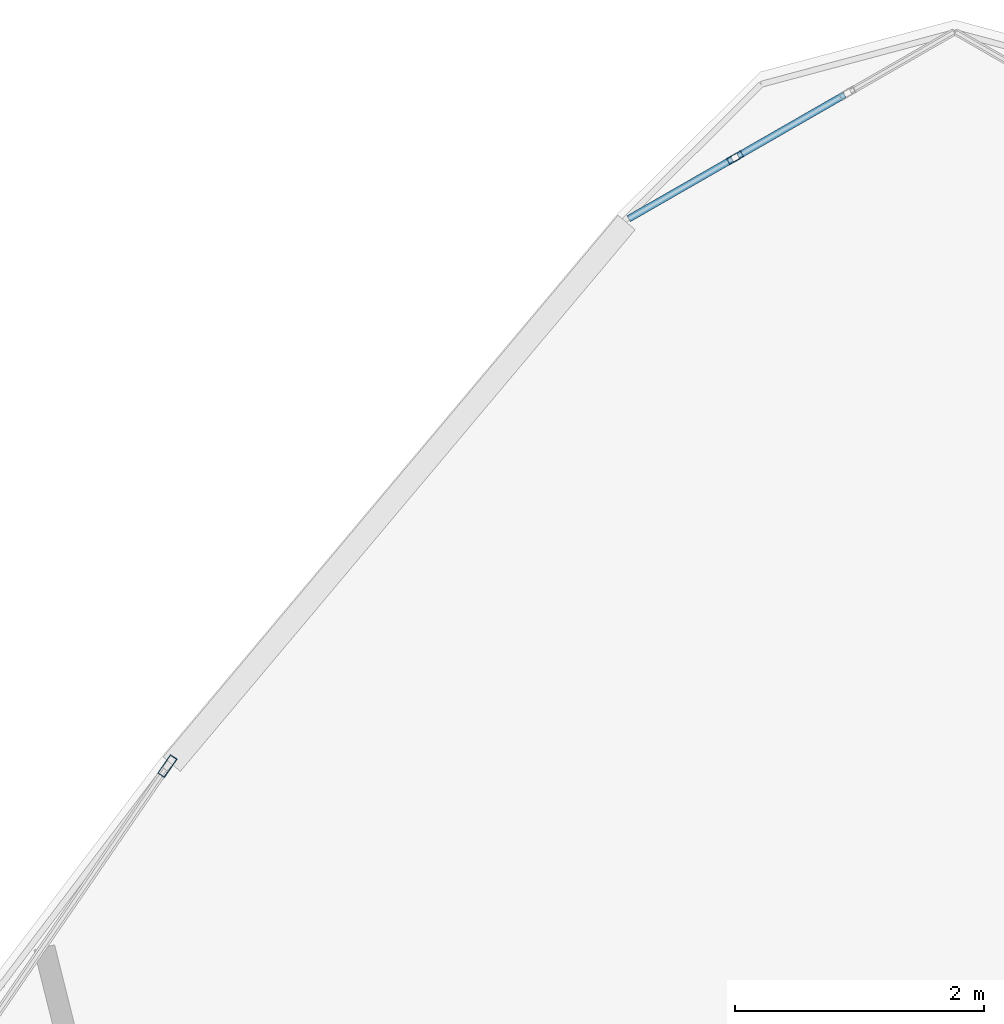
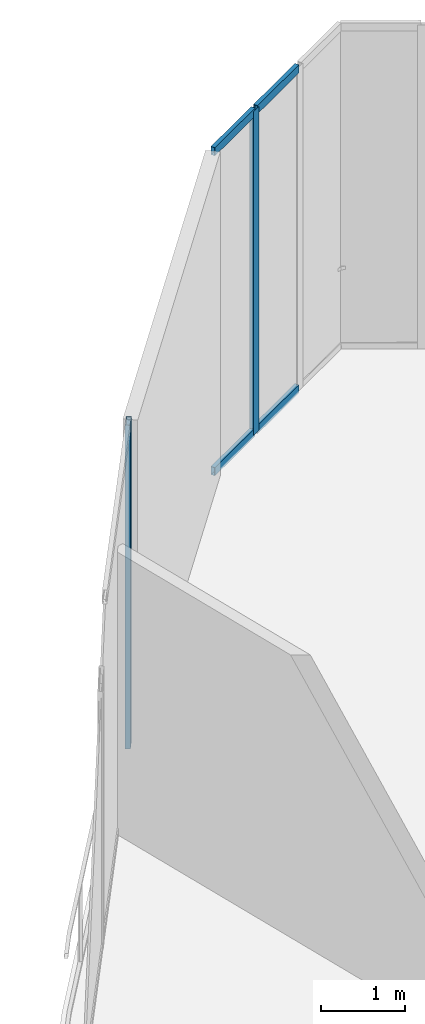
# One storey, part 25 of 32: 6 members, 2 elements without a shape of their own.
"""IFC4 building model written with IfcOpenShell, lengths in metres."""

from ifc_helpers import new_model, si_unit, direction, frame, origin, origin_2d, place, context, subcontext, project, spatial, hollow_rectangle, extrude, source, transform, mapped, material, layer, layer_set, material_profile, profile_set, type_object, element, aggregate, save


model = new_model("IFC4")

# Units and contexts
model_context = context("Model", 3, precision=1e-05, world=origin(), true_north=direction((0.0, 1.0)))
body_context = subcontext(model_context, "Body", "Model", "MODEL_VIEW")
ifc_project = project(units=[si_unit("LENGTHUNIT", "METRE"), si_unit("AREAUNIT", "SQUARE_METRE"), si_unit("VOLUMEUNIT", "CUBIC_METRE"), si_unit("PLANEANGLEUNIT", "RADIAN"), si_unit("MASSUNIT", "GRAM", prefix="KILO"), si_unit("THERMODYNAMICTEMPERATUREUNIT", "KELVIN"), si_unit("POWERUNIT", "WATT")], contexts=[model_context])

# Site, building, storey
site_placement = place(None, origin())
site = spatial("IfcSite", under=ifc_project, at=site_placement, CompositionType="ELEMENT")
building_placement = place(site_placement, origin())
building = spatial("IfcBuilding", under=site, at=building_placement, Name="Yunzhuo Pagoda Commons", CompositionType="ELEMENT")
storey_placement = place(building_placement, frame((0.0, 0.0, 396.760009765625)))
storey = spatial("IfcBuildingStorey", under=building, at=storey_placement, Name="L98", CompositionType="ELEMENT", Elevation=396.760009765625)

# Curtain wall, member
ifc_material = material(Name="Anodized aluminium 6063-T6", Category="aluminium")
ifc_layer_1 = layer(ifc_material, 0.179931640625)
ifc_layer_set_1 = layer_set([ifc_layer_1], Name="Anodized aluminium 6063-T6")
curtain_wall_type_1 = type_object("IfcCurtainWallType", Name="CW-CRN Crown Gable Glazing System", PredefinedType="NOTDEFINED", material=ifc_layer_set_1)
curtain_wall_1_placement = place(storey_placement, origin())
curtain_wall_1 = element("IfcCurtainWall", 1, at=curtain_wall_1_placement, inside=storey, type_object=curtain_wall_type_1, Name="L98 curtain wall CW-L98-CRNF3G1", PredefinedType="NOTDEFINED")
ifc_material_profile_1 = material_profile(ifc_material, hollow_rectangle(XDim=0.06494140625, YDim=0.179931640625, WallThickness=0.00390625, at=origin_2d()), Name="Anodized aluminium 6063-T6")
ifc_profile_set_1 = profile_set([ifc_material_profile_1], Name="Anodized aluminium 6063-T6")
member_type_1 = type_object("IfcMemberType", Name="CW-CRN-M Mullion RHS 180x65x4", PredefinedType="MULLION", material=ifc_profile_set_1)
shared_shape_1 = source(origin(), body_context, "Body", "SweptSolid", [
    extrude(hollow_rectangle(XDim=0.06494140625, YDim=0.179931640625, WallThickness=0.00390625, at=origin_2d()), origin(), (0.0, 0.0, 1.0), 4.72021484375),
])
member_1_placement = place(storey_placement, frame((41.67919921875, 64.46875, 0.0), z_axis=(0.0, 0.0, 1.0), x_axis=(0.824296116005, -0.566158911561, 0.0)))
member_1 = element("IfcMember", 2, at=member_1_placement, type_object=member_type_1, Name="CW mullion 1", PredefinedType="MULLION", context=body_context, shape_type="MappedRepresentation", body=[
    mapped(shared_shape_1, transform((0.0, 0.0, 0.0), scale=1.0)),
])
aggregate(curtain_wall_1, [member_1])

# Curtain wall, members
ifc_layer_2 = layer(ifc_material, 0.1298828125)
ifc_layer_set_2 = layer_set([ifc_layer_2], Name="Anodized aluminium 6063-T6")
curtain_wall_type_2 = type_object("IfcCurtainWallType", Name="CW-VTX Rounded Corner Curtain Wall", PredefinedType="NOTDEFINED", material=ifc_layer_set_2)
curtain_wall_2_placement = place(storey_placement, origin())
curtain_wall_2 = element("IfcCurtainWall", 3, at=curtain_wall_2_placement, inside=storey, type_object=curtain_wall_type_2, Name="L98 curtain wall CW-L98-CRNV3S2", PredefinedType="NOTDEFINED")
ifc_material_profile_2 = material_profile(ifc_material, hollow_rectangle(XDim=0.054931640625, YDim=0.1298828125, WallThickness=0.00341796875, at=origin_2d()), Name="Anodized aluminium 6063-T6")
ifc_profile_set_2 = profile_set([ifc_material_profile_2], Name="Anodized aluminium 6063-T6")
member_type_2 = type_object("IfcMemberType", Name="CW-VTX-M Mullion RHS 130x55x3.5", PredefinedType="MULLION", material=ifc_profile_set_2)
shared_shape_2 = source(origin(), body_context, "Body", "SweptSolid", [
    extrude(hollow_rectangle(XDim=0.054931640625, YDim=0.1298828125, WallThickness=0.00341796875, at=origin_2d()), origin(), (0.0, 0.0, 1.0), 4.72021484375),
])
member_2_placement = place(storey_placement, frame((46.236572265625, 69.3525390625, 0.0), z_axis=(0.0, 0.0, 1.0), x_axis=(0.497936732633, -0.867213359154, 0.0)))
member_2 = element("IfcMember", 4, at=member_2_placement, type_object=member_type_2, Name="CW mullion 3", PredefinedType="MULLION", context=body_context, shape_type="MappedRepresentation", body=[
    mapped(shared_shape_2, transform((0.0, 0.0, 0.0), scale=1.0)),
])
ifc_material_profile_3 = material_profile(ifc_material, hollow_rectangle(XDim=0.054931640625, YDim=0.1201171875, WallThickness=0.00341796875, at=origin_2d()), Name="Anodized aluminium 6063-T6")
ifc_profile_set_3 = profile_set([ifc_material_profile_3], Name="Anodized aluminium 6063-T6")
member_type_3 = type_object("IfcMemberType", Name="CW-VTX-T Transom RHS 120x55x3.5", PredefinedType="USERDEFINED", material=ifc_profile_set_3)
shared_shape_3 = source(origin(), body_context, "Body", "SweptSolid", [
    extrude(hollow_rectangle(XDim=0.054931640625, YDim=0.1201171875, WallThickness=0.00341796875, at=origin_2d()), origin(), (0.0, 0.0, 1.0), 0.984619140625),
])
member_3_placement = place(storey_placement, frame((47.1142578125, 69.8564453125, 0.027587890625), z_axis=(-0.867203521123, -0.497953866289, 0.0), x_axis=(0.497953866289, -0.867203521123, 0.0)))
member_3 = element("IfcMember", 5, at=member_3_placement, type_object=member_type_3, Name="CW transom 2.1", ObjectType="TRANSOM", PredefinedType="USERDEFINED", context=body_context, shape_type="MappedRepresentation", body=[
    mapped(shared_shape_3, transform((0.0, 0.0, 0.0), scale=1.0)),
])
member_4_placement = place(storey_placement, frame((47.1142578125, 69.8564453125, 4.6923828125), z_axis=(-0.867203521123, -0.497953866289, 0.0), x_axis=(0.497953866289, -0.867203521123, 0.0)))
member_4 = element("IfcMember", 6, at=member_4_placement, type_object=member_type_3, Name="CW transom 2.2", ObjectType="TRANSOM", PredefinedType="USERDEFINED", context=body_context, shape_type="MappedRepresentation", body=[
    mapped(shared_shape_3, transform((0.0, 0.0, 0.0), scale=1.0)),
])
shared_shape_4 = source(origin(), body_context, "Body", "SweptSolid", [
    extrude(hollow_rectangle(XDim=0.054931640625, YDim=0.1201171875, WallThickness=0.00341796875, at=origin_2d()), origin(), (0.0, 0.0, 1.0), 0.957275390625),
])
member_5_placement = place(storey_placement, frame((46.212890625, 69.3388671875, 0.027587890625), z_axis=(-0.867299991216, -0.497785822656, 0.0), x_axis=(0.497785822656, -0.867299991216, 0.0)))
member_5 = element("IfcMember", 7, at=member_5_placement, type_object=member_type_3, Name="CW transom 3.1", ObjectType="TRANSOM", PredefinedType="USERDEFINED", context=body_context, shape_type="MappedRepresentation", body=[
    mapped(shared_shape_4, transform((0.0, 0.0, 0.0), scale=1.0)),
])
member_6_placement = place(storey_placement, frame((46.212890625, 69.3388671875, 4.6923828125), z_axis=(-0.867299991216, -0.497785822656, 0.0), x_axis=(0.497785822656, -0.867299991216, 0.0)))
member_6 = element("IfcMember", 8, at=member_6_placement, type_object=member_type_3, Name="CW transom 3.2", ObjectType="TRANSOM", PredefinedType="USERDEFINED", context=body_context, shape_type="MappedRepresentation", body=[
    mapped(shared_shape_4, transform((0.0, 0.0, 0.0), scale=1.0)),
])
aggregate(curtain_wall_2, [member_2, member_3, member_4, member_5, member_6])

save(model, "model.ifc")
